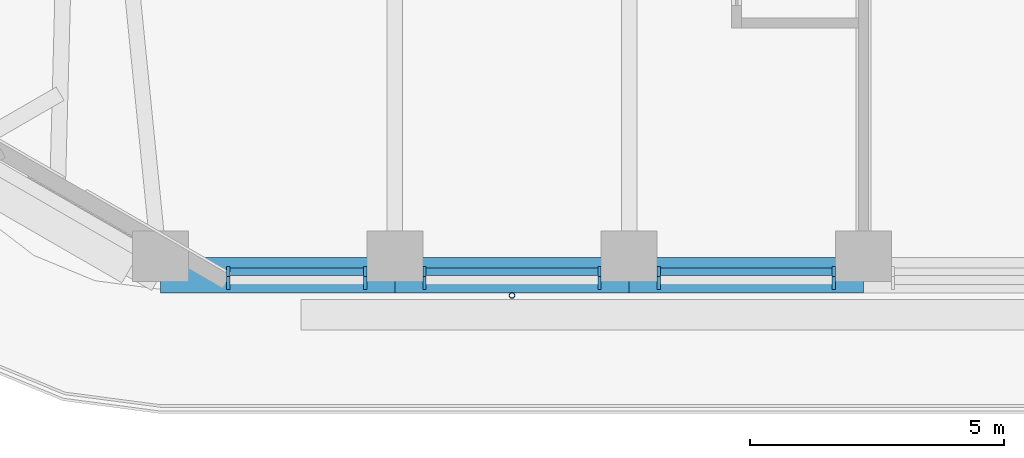
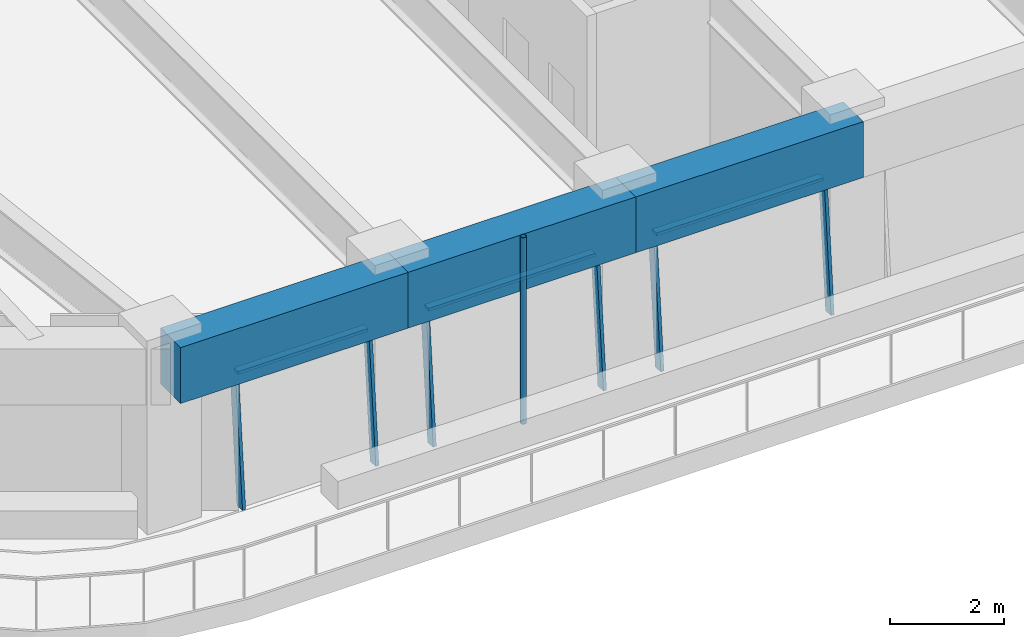
# One storey, part 2 of 20: 10 members, 3 beams, 3 elements without a shape of their own.
"""IFC4 building model written with IfcOpenShell, lengths in metres."""

from ifc_helpers import new_model, si_unit, direction, frame, origin, origin_2d, place, context, subcontext, project, spatial, rectangle, hollow_circle, extrude, material, material_profile, profile_set, type_object, element, aggregate, save


model = new_model("IFC4")

# Units and contexts
model_context = context("Model", 3, precision=1e-05, world=origin(), true_north=direction((0.0, 1.0)))
body_context = subcontext(model_context, "Body", "Model", "MODEL_VIEW")
ifc_project = project(units=[si_unit("LENGTHUNIT", "METRE"), si_unit("AREAUNIT", "SQUARE_METRE"), si_unit("VOLUMEUNIT", "CUBIC_METRE"), si_unit("PLANEANGLEUNIT", "RADIAN"), si_unit("MASSUNIT", "GRAM", prefix="KILO")], contexts=[model_context])

# Site, building, storey
site_placement = place(None, origin())
site = spatial("IfcSite", under=ifc_project, at=site_placement, CompositionType="ELEMENT")
building_placement = place(site_placement, origin())
building = spatial("IfcBuilding", under=site, at=building_placement, Name="Tarfa Lantern Tower", CompositionType="ELEMENT")
storey_placement = place(building_placement, frame((0.0, 0.0, 278.5)))
storey = spatial("IfcBuildingStorey", under=building, at=storey_placement, Name="L63", CompositionType="ELEMENT", Elevation=278.5)

# Curtain wall, members
ifc_material_1 = material(Name="Aluminium framed curtain wall", Category="aluminium")
curtain_wall_type = type_object("IfcCurtainWallType", Name="CW3 CANTED GLAZING HIGH ZONE 2800", PredefinedType="USERDEFINED", material=ifc_material_1)
curtain_wall_1_placement = place(storey_placement, origin())
curtain_wall_1 = element("IfcCurtainWall", 1, at=curtain_wall_1_placement, inside=storey, type_object=curtain_wall_type, Name="CW3 S L63", ObjectType="CURTAIN WALL", PredefinedType="USERDEFINED")
ifc_material_2 = material(Name="Aluminium mullion", Category="aluminium")
ifc_material_profile_1 = material_profile(ifc_material_2, rectangle(XDim=0.06494140625, YDim=0.199951171875, at=origin_2d()), Name="AL MULLION 65x200")
ifc_profile_set_1 = profile_set([ifc_material_profile_1], Name="Aluminium mullion")
member_type_1 = type_object("IfcMemberType", Name="CWM1 MULLION 65x200", PredefinedType="MULLION", material=ifc_profile_set_1)
member_1_placement = place(storey_placement, frame((-12.52392578125, -28.89990234375, 0.0), z_axis=(0.0, 0.088930399417, 0.996037842685), x_axis=(-1.0, 0.0, 0.0)))
member_1 = element("IfcMember", 2, at=member_1_placement, type_object=member_type_1, Name="CW3 mullion 1", PredefinedType="MULLION", context=body_context, shape_type="SweptSolid", body=[
    extrude(rectangle(XDim=0.06494140625, YDim=0.199951171875, at=origin_2d()), origin(), (0.0, 0.0, 1.0), 2.811279296875),
])
member_2_placement = place(storey_placement, frame((-9.820068359375, -28.89990234375, 0.0), z_axis=(0.0, 0.088930399417, 0.996037842685), x_axis=(-1.0, 0.0, 0.0)))
member_2 = element("IfcMember", 3, at=member_2_placement, type_object=member_type_1, Name="CW3 mullion 2", PredefinedType="MULLION", context=body_context, shape_type="SweptSolid", body=[
    extrude(rectangle(XDim=0.06494140625, YDim=0.199951171875, at=origin_2d()), origin(), (0.0, 0.0, 1.0), 2.811279296875),
])

curtain_wall_2_placement = place(storey_placement, origin())
curtain_wall_2 = element("IfcCurtainWall", 4, at=curtain_wall_2_placement, inside=storey, type_object=curtain_wall_type, Name="CW3 S L63", ObjectType="CURTAIN WALL", PredefinedType="USERDEFINED")
member_3_placement = place(storey_placement, frame((-8.655029296875, -28.89990234375, 0.0), z_axis=(0.0, 0.088930399417, 0.996037842685), x_axis=(-1.0, 0.0, 0.0)))
member_3 = element("IfcMember", 5, at=member_3_placement, type_object=member_type_1, Name="CW3 mullion 1", PredefinedType="MULLION", context=body_context, shape_type="SweptSolid", body=[
    extrude(rectangle(XDim=0.06494140625, YDim=0.199951171875, at=origin_2d()), origin(), (0.0, 0.0, 1.0), 2.811279296875),
])
member_4_placement = place(storey_placement, frame((-5.201416015625, -28.89990234375, 0.0), z_axis=(0.0, 0.088930399417, 0.996037842685), x_axis=(-1.0, 0.0, 0.0)))
member_4 = element("IfcMember", 6, at=member_4_placement, type_object=member_type_1, Name="CW3 mullion 2", PredefinedType="MULLION", context=body_context, shape_type="SweptSolid", body=[
    extrude(rectangle(XDim=0.06494140625, YDim=0.199951171875, at=origin_2d()), origin(), (0.0, 0.0, 1.0), 2.811279296875),
])

curtain_wall_3_placement = place(storey_placement, origin())
curtain_wall_3 = element("IfcCurtainWall", 7, at=curtain_wall_3_placement, inside=storey, type_object=curtain_wall_type, Name="CW3 S L63", ObjectType="CURTAIN WALL", PredefinedType="USERDEFINED")
member_5_placement = place(storey_placement, frame((-4.036376953125, -28.89990234375, 0.0), z_axis=(0.0, 0.088930399417, 0.996037842685), x_axis=(-1.0, 0.0, 0.0)))
member_5 = element("IfcMember", 8, at=member_5_placement, type_object=member_type_1, Name="CW3 mullion 1", PredefinedType="MULLION", context=body_context, shape_type="SweptSolid", body=[
    extrude(rectangle(XDim=0.06494140625, YDim=0.199951171875, at=origin_2d()), origin(), (0.0, 0.0, 1.0), 2.811279296875),
])
member_6_placement = place(storey_placement, frame((-0.58251953125, -28.89990234375, 0.0), z_axis=(0.0, 0.088930399417, 0.996037842685), x_axis=(-1.0, 0.0, 0.0)))
member_6 = element("IfcMember", 9, at=member_6_placement, type_object=member_type_1, Name="CW3 mullion 2", PredefinedType="MULLION", context=body_context, shape_type="SweptSolid", body=[
    extrude(rectangle(XDim=0.06494140625, YDim=0.199951171875, at=origin_2d()), origin(), (0.0, 0.0, 1.0), 2.811279296875),
])

# Member
ifc_material_3 = material(Name="Aluminium transom", Category="aluminium")
ifc_material_profile_2 = material_profile(ifc_material_3, rectangle(XDim=0.14990234375, YDim=0.06494140625, at=origin_2d()), Name="AL TRANSOM 150x65")
ifc_profile_set_2 = profile_set([ifc_material_profile_2], Name="Aluminium transom")
member_type_2 = type_object("IfcMemberType", Name="CWT1 TRANSOM 150x65", PredefinedType="USERDEFINED", material=ifc_profile_set_2)
member_7_placement = place(storey_placement, frame((-12.491455078125, -28.65283203125, 2.767578125), z_axis=(1.0, 0.0, 0.0), x_axis=(0.0, 1.0, 0.0)))
member_7 = element("IfcMember", 10, at=member_7_placement, type_object=member_type_2, Name="CW3 transom 1.2", ObjectType="TRANSOM", PredefinedType="USERDEFINED", context=body_context, shape_type="SweptSolid", body=[
    extrude(rectangle(XDim=0.14990234375, YDim=0.06494140625, at=origin_2d()), origin(), (0.0, 0.0, 1.0), 2.638916015625),
])

aggregate(curtain_wall_1, [member_1, member_2, member_7])

member_8_placement = place(storey_placement, frame((-8.62255859375, -28.65283203125, 2.767578125), z_axis=(1.0, 0.0, 0.0), x_axis=(0.0, 1.0, 0.0)))
member_8 = element("IfcMember", 11, at=member_8_placement, type_object=member_type_2, Name="CW3 transom 1.2", ObjectType="TRANSOM", PredefinedType="USERDEFINED", context=body_context, shape_type="SweptSolid", body=[
    extrude(rectangle(XDim=0.14990234375, YDim=0.06494140625, at=origin_2d()), origin(), (0.0, 0.0, 1.0), 3.388671875),
])

aggregate(curtain_wall_2, [member_3, member_4, member_8])

member_9_placement = place(storey_placement, frame((-4.00390625, -28.65283203125, 2.767578125), z_axis=(1.0, 0.0, 0.0), x_axis=(0.0, 1.0, 0.0)))
member_9 = element("IfcMember", 12, at=member_9_placement, type_object=member_type_2, Name="CW3 transom 1.2", ObjectType="TRANSOM", PredefinedType="USERDEFINED", context=body_context, shape_type="SweptSolid", body=[
    extrude(rectangle(XDim=0.14990234375, YDim=0.06494140625, at=origin_2d()), origin(), (0.0, 0.0, 1.0), 3.388916015625),
])

aggregate(curtain_wall_3, [member_5, member_6, member_9])

# Beams
ifc_material_4 = material(Name="Concrete C80/95", Category="concrete")
ifc_material_profile_3 = material_profile(ifc_material_4, rectangle(XDim=0.699951171875, YDim=1.199951171875, at=origin_2d()), Name="RC 700x1200")
ifc_profile_set_3 = profile_set([ifc_material_profile_3], Name="Concrete C80/95")
beam_type = type_object("IfcBeamType", Name="EB3 RC 700x1200", PredefinedType="SPANDREL", material=ifc_profile_set_3)
beam_1_placement = place(storey_placement, frame((-13.8564453125, -28.719970703125, 3.39990234375), z_axis=(1.0, 0.0, 0.0), x_axis=(0.0, 1.0, 0.0)))
element("IfcBeam", 13, at=beam_1_placement, inside=storey, type_object=beam_type, Name="Edge beam S0", PredefinedType="SPANDREL", context=body_context, shape_type="SweptSolid", body=[
    extrude(rectangle(XDim=0.699951171875, YDim=1.199951171875, at=origin_2d()), origin(), (0.0, 0.0, 1.0), 4.618896484375),
])
beam_2_placement = place(storey_placement, frame((-9.237548828125, -28.719970703125, 3.39990234375), z_axis=(1.0, 0.0, 0.0), x_axis=(0.0, 1.0, 0.0)))
element("IfcBeam", 14, at=beam_2_placement, inside=storey, type_object=beam_type, Name="Edge beam S1", PredefinedType="SPANDREL", context=body_context, shape_type="SweptSolid", body=[
    extrude(rectangle(XDim=0.699951171875, YDim=1.199951171875, at=origin_2d()), origin(), (0.0, 0.0, 1.0), 4.61865234375),
])
beam_3_placement = place(storey_placement, frame((-4.618896484375, -28.719970703125, 3.39990234375), z_axis=(1.0, 0.0, 0.0), x_axis=(0.0, 1.0, 0.0)))
element("IfcBeam", 15, at=beam_3_placement, inside=storey, type_object=beam_type, Name="Edge beam S2", PredefinedType="SPANDREL", context=body_context, shape_type="SweptSolid", body=[
    extrude(rectangle(XDim=0.699951171875, YDim=1.199951171875, at=origin_2d()), origin(), (0.0, 0.0, 1.0), 4.618896484375),
])

# Member
ifc_material_5 = material(Name="Steel S355", Category="steel")
ifc_material_profile_4 = material_profile(ifc_material_5, hollow_circle(Radius=0.05712890625, WallThickness=0.00634765625, at=origin_2d()), Name="CHS114.3x6.3")
ifc_profile_set_4 = profile_set([ifc_material_profile_4], Name="Steel S355")
member_type_3 = type_object("IfcMemberType", Name="TR1 GREEN WALL TRELLIS CHS114.3x6.3", PredefinedType="USERDEFINED", material=ifc_profile_set_4)
member_10_placement = place(storey_placement, frame((-6.92822265625, -29.1201171875, 0.0), z_axis=(0.0, 0.0, 1.0), x_axis=(1.0, 0.0, 0.0)))
element("IfcMember", 16, at=member_10_placement, inside=storey, type_object=member_type_3, Name="Trellis post S 1", ObjectType="TRELLIS", PredefinedType="USERDEFINED", context=body_context, shape_type="SweptSolid", body=[
    extrude(hollow_circle(Radius=0.05712890625, WallThickness=0.00634765625, at=origin_2d()), origin(), (0.0, 0.0, 1.0), 4.0),
])

save(model, "model.ifc")
